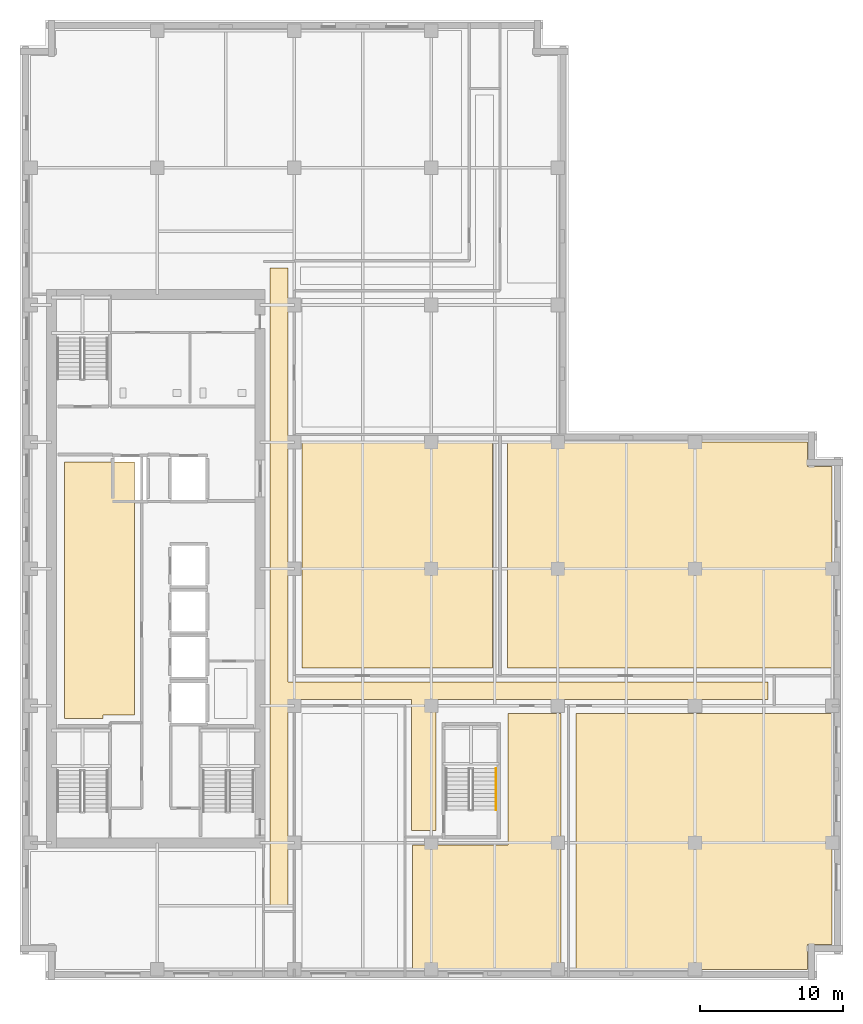
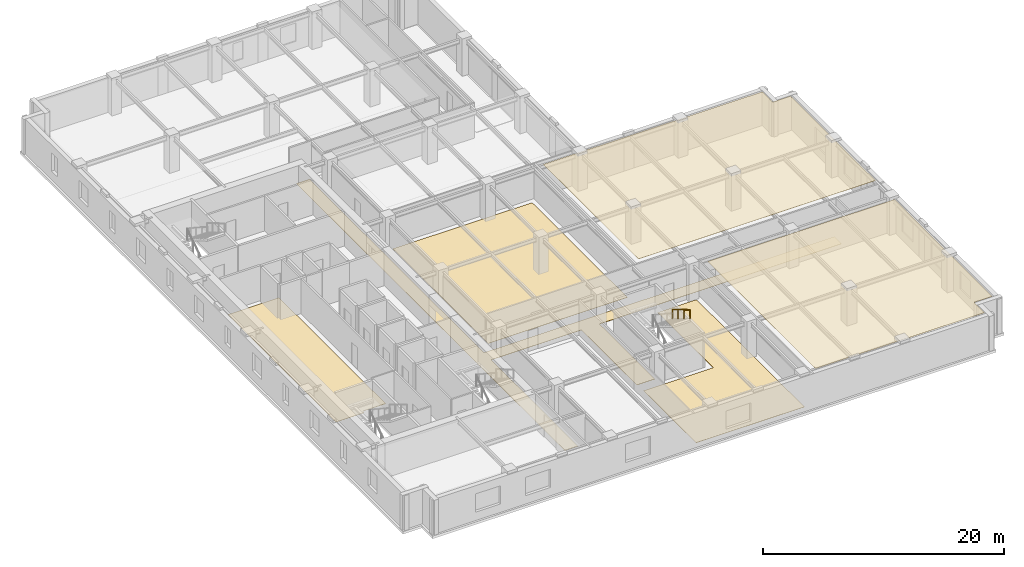
# One storey, part 10 of 13: 6 coverings, 1 railing.
"""IFC4 building model written with IfcOpenShell, lengths in metres."""

from ifc_helpers import new_model, si_unit, direction, frame, origin, origin_2d, place, context, subcontext, project, spatial, polyline, circle, outline, extrude, material, layer, layer_set, type_object, element, save


model = new_model("IFC4")

# Units and contexts
model_context = context("Model", 3, precision=1e-05, world=origin(), true_north=direction((0.0, 1.0)))
body_context = subcontext(model_context, "Body", "Model", "MODEL_VIEW")
ifc_project = project(units=[si_unit("LENGTHUNIT", "METRE"), si_unit("AREAUNIT", "SQUARE_METRE"), si_unit("VOLUMEUNIT", "CUBIC_METRE"), si_unit("PLANEANGLEUNIT", "RADIAN"), si_unit("MASSUNIT", "GRAM", prefix="KILO")], contexts=[model_context])

# Site, building, storey
site_placement = place(None, origin())
site = spatial("IfcSite", under=ifc_project, at=site_placement, CompositionType="ELEMENT")
building_placement = place(site_placement, origin())
building = spatial("IfcBuilding", under=site, at=building_placement, Name="Norrvale University Quadrangle", CompositionType="ELEMENT")
storey_placement = place(building_placement, frame((0.0, 0.0, 159.800048828125)))
storey = spatial("IfcBuildingStorey", under=building, at=storey_placement, Name="L40", CompositionType="ELEMENT", Elevation=159.800048828125)

# Coverings
ifc_material_1 = material(Name="Perforated Acoustic Mineral Ceiling")
ifc_layer_1 = layer(ifc_material_1, 0.02490234375, Name="Perforated Acoustic Mineral Ceiling")
ifc_layer_set_1 = layer_set([ifc_layer_1], Name="Perforated Acoustic Mineral Ceiling")
covering_type_1 = type_object("IfcCoveringType", Name="Covering Acoustic Ceiling 25", PredefinedType="CEILING", material=ifc_layer_set_1)
covering_1_placement = place(storey_placement, frame((0.0, 0.0, 3.514892578125)))
element("IfcCovering", 1, at=covering_1_placement, inside=storey, type_object=covering_type_1, Name="Acoustic Ceiling RM-L40-SE3", PredefinedType="CEILING", context=body_context, shape_type="SweptSolid", body=[
    extrude(outline(polyline([(38.929931640625, 0.75), (38.929931640625, 18.669921875), (56.85009765625, 18.669921875), (56.85009765625, 2.469970703125), (55.1298828125, 2.469970703125), (55.1298828125, 0.75), (38.929931640625, 0.75)])), origin(), (0.0, 0.0, 1.0), 0.025146484375),
])
covering_2_placement = place(storey_placement, frame((0.0, 0.0, 3.514892578125)))
element("IfcCovering", 2, at=covering_2_placement, inside=storey, type_object=covering_type_1, Name="Acoustic Ceiling RM-L40-ME02", PredefinedType="CEILING", context=body_context, shape_type="SweptSolid", body=[
    extrude(outline(polyline([(56.85009765625, 21.830078125), (34.1298828125, 21.830078125), (34.1298828125, 37.64990234375), (55.1298828125, 37.64990234375), (55.1298828125, 35.929931640625), (56.85009765625, 35.929931640625), (56.85009765625, 21.830078125)])), origin(), (0.0, 0.0, 1.0), 0.025146484375),
])
ifc_material_2 = material(Name="Polished Terrazzo Flooring")
ifc_layer_2 = layer(ifc_material_2, 0.02490234375, Name="Polished Terrazzo Flooring")
ifc_layer_set_2 = layer_set([ifc_layer_2], Name="Polished Terrazzo Flooring")
covering_type_2 = type_object("IfcCoveringType", Name="Covering Terrazzo Floor 30", PredefinedType="FLOORING", material=ifc_layer_set_2)
covering_3_placement = place(storey_placement, origin())
element("IfcCovering", 3, at=covering_3_placement, inside=storey, type_object=covering_type_2, Name="Terrazzo Flooring RM-L40-REC2", PredefinedType="FLOORING", context=body_context, shape_type="SweptSolid", body=[
    extrude(outline(polyline([(3.10009765625, 18.300048828125), (3.10009765625, 36.25), (8.0, 36.25), (8.0, 18.550048828125), (5.800048828125, 18.550048828125), (5.800048828125, 18.300048828125), (3.10009765625, 18.300048828125)])), origin(), (0.0, 0.0, 1.0), 0.02490234375),
])
covering_4_placement = place(storey_placement, origin())
element("IfcCovering", 4, at=covering_4_placement, inside=storey, type_object=covering_type_2, Name="Terrazzo Flooring RM-L40-CORR1", PredefinedType="FLOORING", context=body_context, shape_type="SweptSolid", body=[
    extrude(outline(polyline([(17.5, 5.25), (17.5, 49.85009765625), (18.75, 49.85009765625), (18.75, 20.85009765625), (52.35009765625, 20.85009765625), (52.35009765625, 19.64990234375), (29.1298828125, 19.64990234375), (29.1298828125, 10.449951171875), (27.39990234375, 10.449951171875), (27.39990234375, 19.64990234375), (18.75, 19.64990234375), (18.75, 5.25), (17.5, 5.25)])), origin(), (0.0, 0.0, 1.0), 0.02490234375),
])
covering_5_placement = place(storey_placement, origin())
element("IfcCovering", 5, at=covering_5_placement, inside=storey, type_object=covering_type_2, Name="Terrazzo Flooring RM-L40-SE2", PredefinedType="FLOORING", context=body_context, shape_type="SweptSolid", body=[
    extrude(outline(polyline([(27.47998046875, 9.449951171875), (34.14990234375, 9.449951171875), (34.14990234375, 18.669921875), (37.8701171875, 18.669921875), (37.8701171875, 0.75), (27.47998046875, 0.75), (27.47998046875, 9.449951171875)])), origin(), (0.0, 0.0, 1.0), 0.02490234375),
])
covering_6_placement = place(storey_placement, origin())
element("IfcCovering", 6, at=covering_6_placement, inside=storey, type_object=covering_type_2, Name="Terrazzo Flooring RM-L40-ME01", PredefinedType="FLOORING", context=body_context, shape_type="SweptSolid", body=[
    extrude(outline(polyline([(19.72998046875, 37.64990234375), (33.070068359375, 37.64990234375), (33.070068359375, 21.830078125), (19.72998046875, 21.830078125), (19.72998046875, 37.64990234375)])), origin(), (0.0, 0.0, 1.0), 0.02490234375),
])

# Railing
ifc_material_3 = material(Name="Stainless Steel 316L Handrail", Category="steel")
railing_type = type_object("IfcRailingType", Name="Railing Stair Handrail 920", PredefinedType="HANDRAIL", material=ifc_material_3)
railing_placement = place(storey_placement, frame((33.31005859375, 14.800048828125, 2.07275390625)))
element("IfcRailing", 7, at=railing_placement, inside=storey, type_object=railing_type, Name="Stair Upper Flight Handrail ST-04 L40", PredefinedType="HANDRAIL", context=body_context, shape_type="SweptSolid", body=[
    extrude(circle(Radius=0.02392578125, at=origin_2d()), frame((0.0, 0.0, 0.89599609375), z_axis=(0.0, -0.859160404282, 0.51170636083), x_axis=(1.0, 0.0, 0.0)), (0.0, 0.0, 1.0), 3.37548828125),
    extrude(circle(Radius=0.02099609375, at=origin_2d()), origin(), (0.0, 0.0, 1.0), 0.871826171875),
    extrude(circle(Radius=0.02099609375, at=origin_2d()), frame((0.0, -0.966796875, 0.57568359375)), (0.0, 0.0, 1.0), 0.871826171875),
    extrude(circle(Radius=0.02099609375, at=origin_2d()), frame((0.0, -1.933349609375, 1.151611328125)), (0.0, 0.0, 1.0), 0.871826171875),
    extrude(circle(Radius=0.02099609375, at=origin_2d()), frame((0.0, -2.900146484375, 1.727294921875)), (0.0, 0.0, 1.0), 0.871826171875),
])

save(model, "model.ifc")
